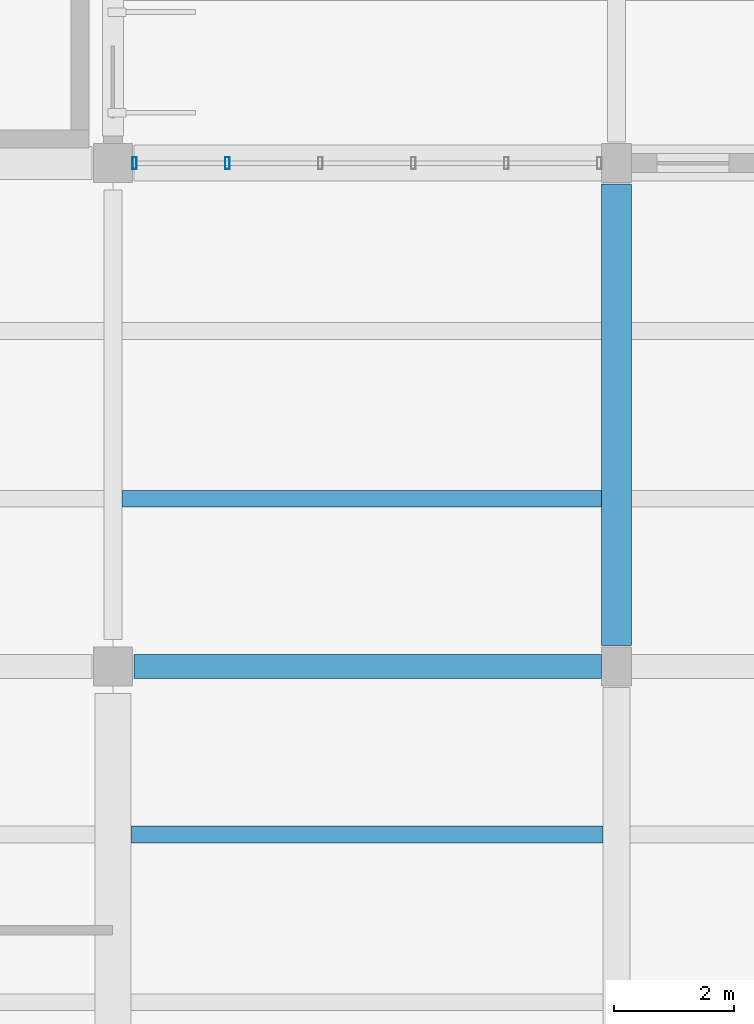
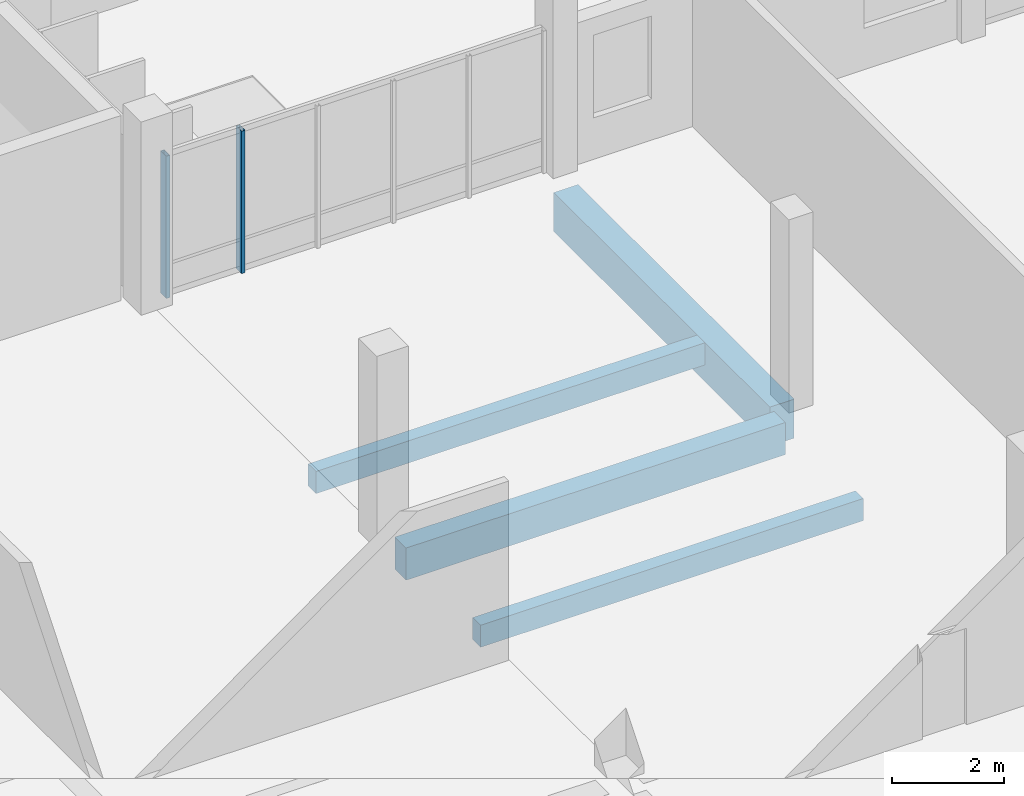
# One storey, part 35 of 101: 4 beams, 2 members, 1 element without a shape of its own.
"""IFC4 building model written with IfcOpenShell, lengths in metres."""

from ifc_helpers import new_model, si_unit, direction, frame, origin, origin_2d, place, context, subcontext, project, spatial, rectangle, hollow_rectangle, extrude, material, layer, layer_set, material_profile, profile_set, type_object, element, aggregate, save


model = new_model("IFC4")

# Units and contexts
model_context = context("Model", 3, precision=1e-05, world=origin(), true_north=direction((0.0, 1.0)))
body_context = subcontext(model_context, "Body", "Model", "MODEL_VIEW")
ifc_project = project(units=[si_unit("LENGTHUNIT", "METRE"), si_unit("AREAUNIT", "SQUARE_METRE"), si_unit("VOLUMEUNIT", "CUBIC_METRE"), si_unit("PLANEANGLEUNIT", "RADIAN"), si_unit("MASSUNIT", "GRAM", prefix="KILO")], contexts=[model_context])

# Site, building, storey
site_placement = place(None, origin())
site = spatial("IfcSite", under=ifc_project, at=site_placement, CompositionType="ELEMENT")
building_placement = place(site_placement, origin())
building = spatial("IfcBuilding", under=site, at=building_placement, Name="Vireocrest Preparatory School", CompositionType="ELEMENT")
storey_placement = place(building_placement, frame((0.0, 0.0, 4.800048828125)))
storey = spatial("IfcBuildingStorey", under=building, at=storey_placement, Name="L01", CompositionType="ELEMENT", Elevation=4.800048828125)

# Curtain wall, members
ifc_material_1 = material(Name="Thermally broken aluminium EN AW-6063-T6", Category="aluminium")
ifc_layer = layer(ifc_material_1, 0.179931640625)
ifc_layer_set = layer_set([ifc_layer], Name="Thermally broken aluminium EN AW-6063-T6")
curtain_wall_type = type_object("IfcCurtainWallType", Name="Botanical Lab Glazing 8400x3400", PredefinedType="USERDEFINED", material=ifc_layer_set)
curtain_wall_placement = place(storey_placement, origin())
curtain_wall = element("IfcCurtainWall", 1, at=curtain_wall_placement, inside=storey, type_object=curtain_wall_type, Name="Curtain Wall CW15 CW_L01_CW15_1095_0438_048", ObjectType="CURTAIN WALL", PredefinedType="USERDEFINED")
ifc_material_profile_1 = material_profile(ifc_material_1, hollow_rectangle(XDim=0.074951171875, YDim=0.199951171875, WallThickness=0.0048828125, at=origin_2d()), Name="ALU 75x200x5")
ifc_profile_set_1 = profile_set([ifc_material_profile_1], Name="Thermally broken aluminium EN AW-6063-T6")
member_type = type_object("IfcMemberType", Name="CW Mullion 75x200x5", PredefinedType="MULLION", material=ifc_profile_set_1)
member_1_placement = place(storey_placement, frame((109.56005859375, 43.800048828125, 0.0), z_axis=(0.0, 0.0, 1.0), x_axis=(1.0, 0.0, 0.0)))
member_1 = element("IfcMember", 2, at=member_1_placement, type_object=member_type, Name="CW Mullion ML3 CW_L01_CW15_1095_0438_048-1", PredefinedType="MULLION", context=body_context, shape_type="SweptSolid", body=[
    extrude(hollow_rectangle(XDim=0.074951171875, YDim=0.199951171875, WallThickness=0.0048828125, at=origin_2d()), origin(), (0.0, 0.0, 1.0), 3.094970703125),
])
member_2_placement = place(storey_placement, frame((111.111083984375, 43.800048828125, 0.0), z_axis=(0.0, 0.0, 1.0), x_axis=(1.0, 0.0, 0.0)))
member_2 = element("IfcMember", 3, at=member_2_placement, type_object=member_type, Name="CW Mullion ML3 CW_L01_CW15_1095_0438_048-2", PredefinedType="MULLION", context=body_context, shape_type="SweptSolid", body=[
    extrude(hollow_rectangle(XDim=0.074951171875, YDim=0.199951171875, WallThickness=0.0048828125, at=origin_2d()), origin(), (0.0, 0.0, 1.0), 3.094970703125),
])
aggregate(curtain_wall, [member_1, member_2])

# Beams
ifc_material_2 = material(Name="Concrete 40 MPa", Category="concrete")
ifc_material_profile_2 = material_profile(ifc_material_2, rectangle(XDim=0.39990234375, YDim=0.699951171875, at=origin_2d()), Name="RC 400x700")
ifc_profile_set_2 = profile_set([ifc_material_profile_2], Name="Concrete 40 MPa")
beam_type_1 = type_object("IfcBeamType", Name="RC Corridor Girder 400x700", PredefinedType="BEAM", material=ifc_profile_set_2)
beam_1_placement = place(storey_placement, frame((109.550048828125, 35.39990234375, -0.630126953125), z_axis=(1.0, 0.0, 0.0), x_axis=(0.0, 1.0, 0.0)))
element("IfcBeam", 4, at=beam_1_placement, inside=storey, type_object=beam_type_1, Name="Primary Girder B08 L01-0294", PredefinedType="BEAM", context=body_context, shape_type="SweptSolid", body=[
    extrude(rectangle(XDim=0.39990234375, YDim=0.699951171875, at=origin_2d()), origin(), (0.0, 0.0, 1.0), 7.800048828125),
])
ifc_material_profile_3 = material_profile(ifc_material_2, rectangle(XDim=0.5, YDim=0.85009765625, at=origin_2d()), Name="RC 500x850")
ifc_profile_set_3 = profile_set([ifc_material_profile_3], Name="Concrete 40 MPa")
beam_type_2 = type_object("IfcBeamType", Name="RC Podium Girder 500x850", PredefinedType="BEAM", material=ifc_profile_set_3)
beam_2_placement = place(storey_placement, frame((117.60009765625, 35.75, -0.705078125), z_axis=(0.0, 1.0, 0.0), x_axis=(-1.0, 0.0, 0.0)))
element("IfcBeam", 5, at=beam_2_placement, inside=storey, type_object=beam_type_2, Name="Primary Girder B14 L01-0475", PredefinedType="BEAM", context=body_context, shape_type="SweptSolid", body=[
    extrude(rectangle(XDim=0.5, YDim=0.85009765625, at=origin_2d()), origin(), (0.0, 0.0, 1.0), 7.699951171875),
])
ifc_material_profile_4 = material_profile(ifc_material_2, rectangle(XDim=0.280029296875, YDim=0.47998046875, at=origin_2d()), Name="RC 280x480")
ifc_profile_set_4 = profile_set([ifc_material_profile_4], Name="Concrete 40 MPa")
beam_type_3 = type_object("IfcBeamType", Name="RC Secondary Lab Joist 280x480", PredefinedType="JOIST", material=ifc_profile_set_4)
beam_3_placement = place(storey_placement, frame((109.5, 32.60009765625, -0.52001953125), z_axis=(1.0, 0.0, 0.0), x_axis=(0.0, 1.0, 0.0)))
element("IfcBeam", 6, at=beam_3_placement, inside=storey, type_object=beam_type_3, Name="Secondary Joist J02 L01-0630", PredefinedType="JOIST", context=body_context, shape_type="SweptSolid", body=[
    extrude(rectangle(XDim=0.280029296875, YDim=0.47998046875, at=origin_2d()), origin(), (0.0, 0.0, 1.0), 7.875),
])
beam_4_placement = place(storey_placement, frame((109.35009765625, 38.199951171875, -0.52001953125), z_axis=(1.0, 0.0, 0.0), x_axis=(0.0, 1.0, 0.0)))
element("IfcBeam", 7, at=beam_4_placement, inside=storey, type_object=beam_type_3, Name="Secondary Joist J02 L01-0631", PredefinedType="JOIST", context=body_context, shape_type="SweptSolid", body=[
    extrude(rectangle(XDim=0.280029296875, YDim=0.47998046875, at=origin_2d()), origin(), (0.0, 0.0, 1.0), 8.0),
])

save(model, "model.ifc")
